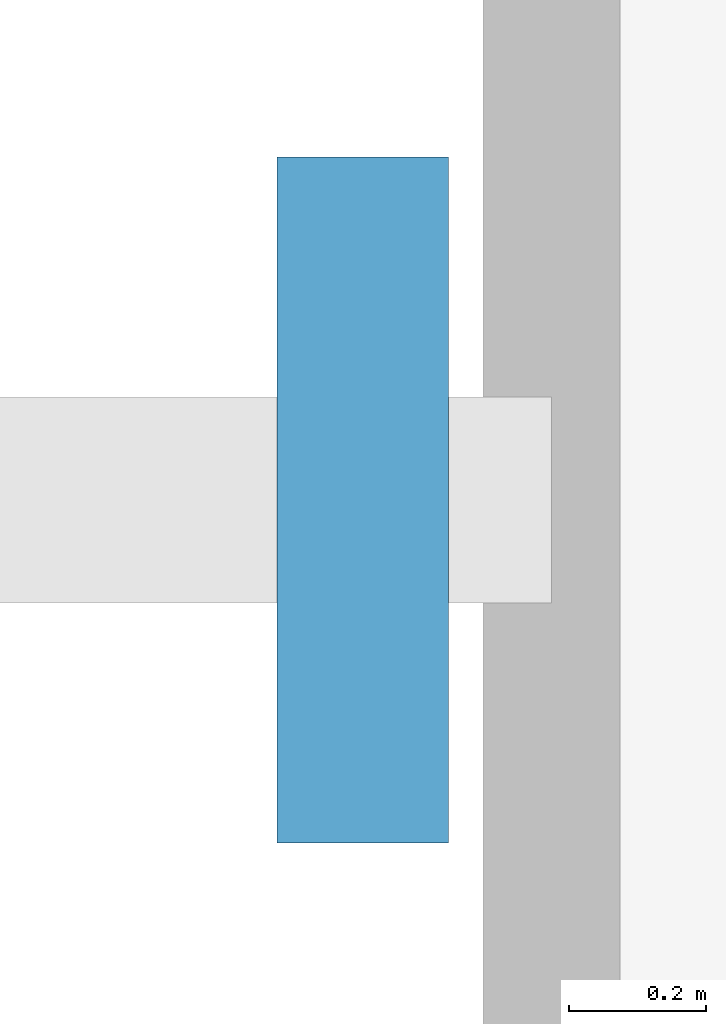
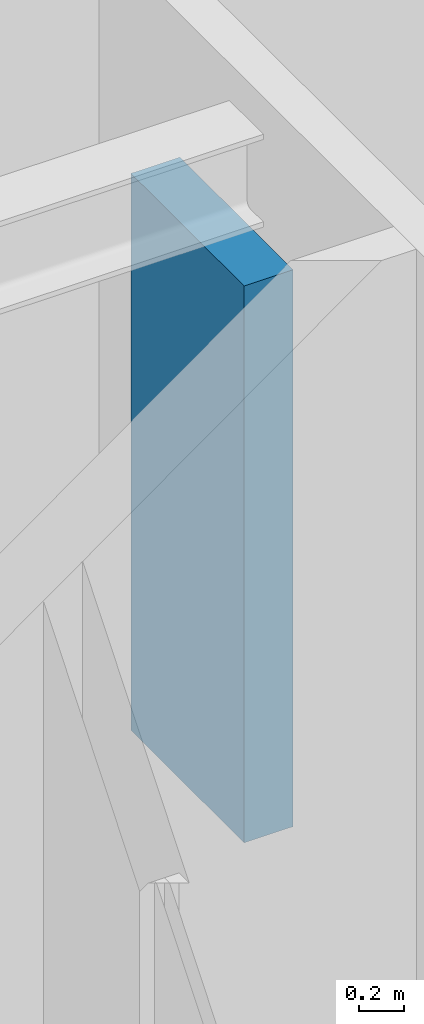
# One storey, part 14 of 17: 1 discrete accessory.
"""IFC4 building model written with IfcOpenShell, lengths in metres."""

from ifc_helpers import new_model, si_unit, direction, frame, origin, origin_2d, place, context, subcontext, project, spatial, rectangle, extrude, element, save


model = new_model("IFC4")

# Units and contexts
model_context = context("Model", 3, precision=1e-05, world=origin(), true_north=direction((0.0, 1.0)))
body_context = subcontext(model_context, "Body", "Model", "MODEL_VIEW")
ifc_project = project(units=[si_unit("LENGTHUNIT", "METRE"), si_unit("AREAUNIT", "SQUARE_METRE"), si_unit("VOLUMEUNIT", "CUBIC_METRE"), si_unit("PLANEANGLEUNIT", "RADIAN"), si_unit("MASSUNIT", "GRAM", prefix="KILO")], contexts=[model_context])

# Site, building, storey
site_placement = place(None, origin())
site = spatial("IfcSite", under=ifc_project, at=site_placement, CompositionType="ELEMENT")
building_placement = place(site_placement, origin())
building = spatial("IfcBuilding", under=site, at=building_placement, Name="Svetlomir Tower", CompositionType="ELEMENT")
storey_placement = place(building_placement, frame((0.0, 0.0, 239.5)))
storey = spatial("IfcBuildingStorey", under=building, at=storey_placement, Name="L57", CompositionType="ELEMENT", Elevation=239.5)

# Discrete accessory
discrete_accessory_placement = place(storey_placement, frame((25.824951171875, 28.10009765625, 0.75), z_axis=(0.0, 0.0, 1.0), x_axis=(1.0, 0.0, 0.0)))
element("IfcDiscreteAccessory", 1, at=discrete_accessory_placement, inside=storey, Name="Lift SH3 counterweight", ObjectType="LIFT COUNTERWEIGHT", PredefinedType="USERDEFINED", context=body_context, shape_type="SweptSolid", body=[
    extrude(rectangle(XDim=0.25, YDim=1.0, at=origin_2d()), origin(), (0.0, 0.0, 1.0), 3.0),
])

save(model, "model.ifc")
